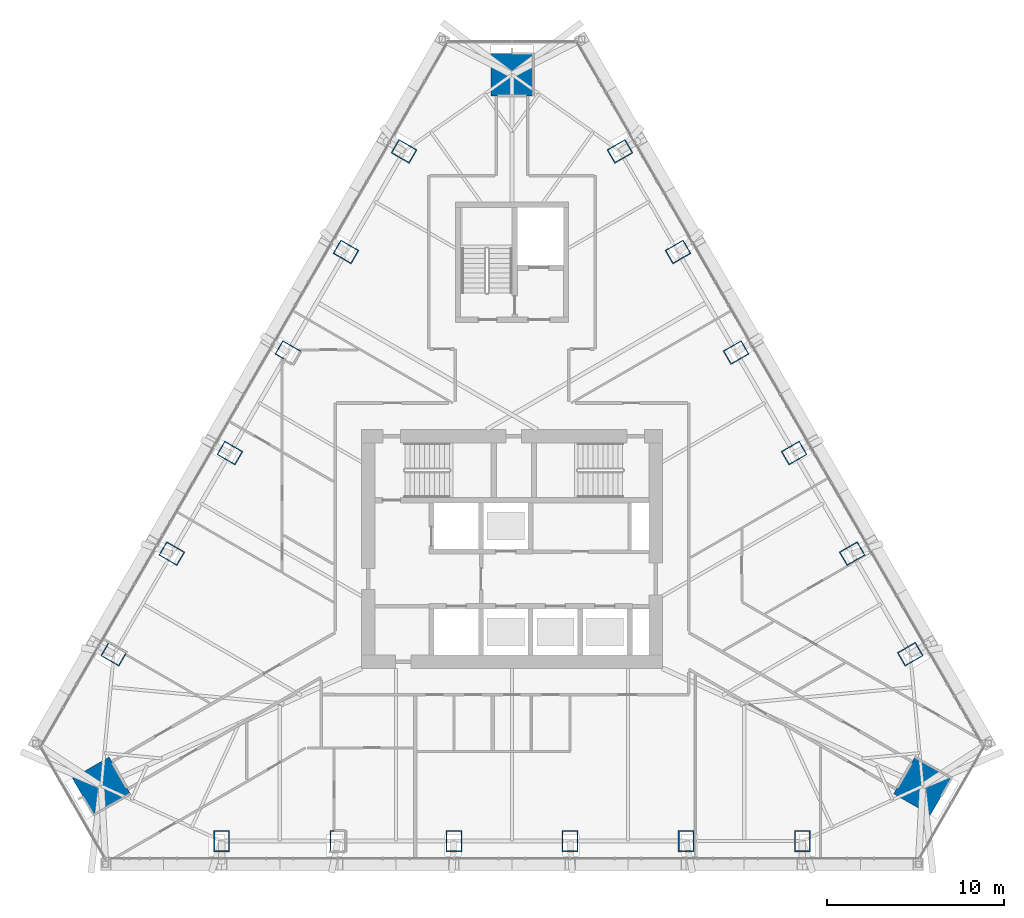
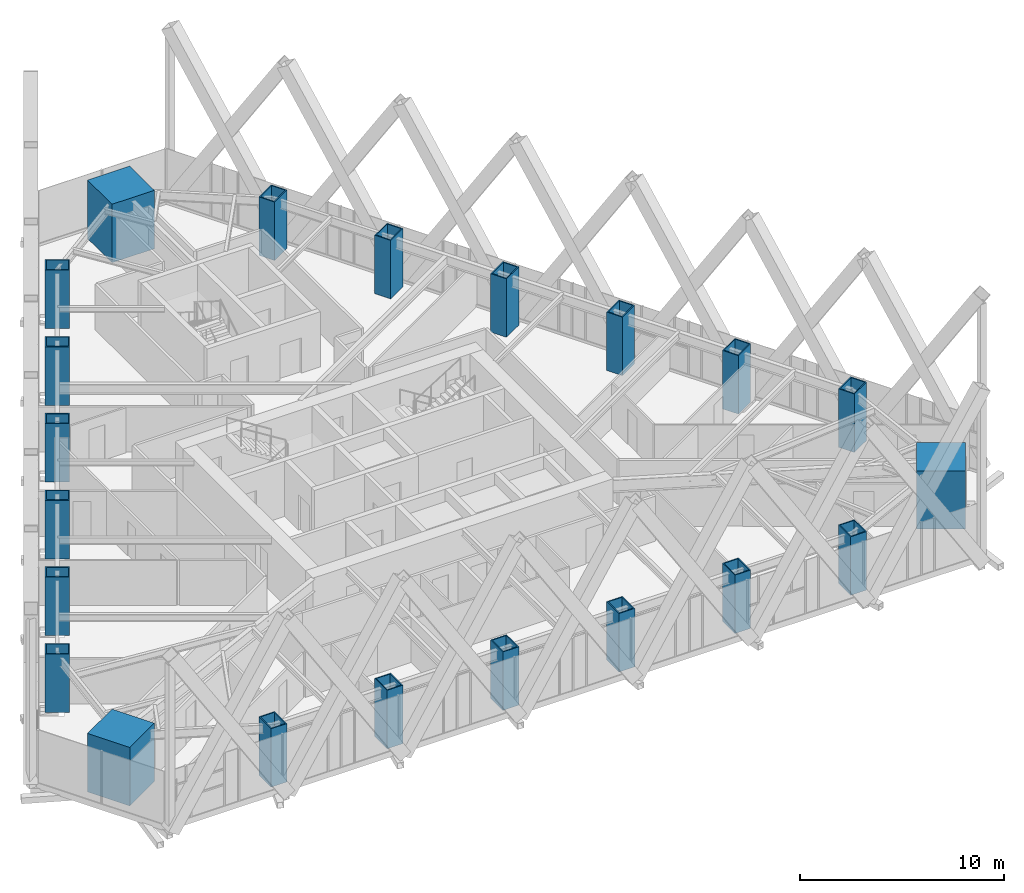
# One storey, part 1 of 25: 21 columns.
"""IFC4 building model written with IfcOpenShell, lengths in metres."""

from ifc_helpers import new_model, si_unit, direction, frame, origin, origin_2d, place, context, subcontext, project, spatial, rectangle, hollow_rectangle, extrude, material, material_profile, profile_set, type_object, element, save


model = new_model("IFC4")

# Units and contexts
model_context = context("Model", 3, precision=1e-05, world=origin(), true_north=direction((0.0, 1.0)))
body_context = subcontext(model_context, "Body", "Model", "MODEL_VIEW")
ifc_project = project(units=[si_unit("LENGTHUNIT", "METRE"), si_unit("AREAUNIT", "SQUARE_METRE"), si_unit("VOLUMEUNIT", "CUBIC_METRE"), si_unit("PLANEANGLEUNIT", "RADIAN"), si_unit("MASSUNIT", "GRAM", prefix="KILO")], contexts=[model_context])

# Site, building, storey
site_placement = place(None, origin())
site = spatial("IfcSite", under=ifc_project, at=site_placement, CompositionType="ELEMENT")
building_placement = place(site_placement, origin())
building = spatial("IfcBuilding", under=site, at=building_placement, Name="Firuza Gate Tower and Library", CompositionType="ELEMENT")
storey_placement = place(building_placement, frame((0.0, 0.0, 270.60009765625)))
storey = spatial("IfcBuildingStorey", under=building, at=storey_placement, Name="L64", CompositionType="ELEMENT", Elevation=270.60009765625)

# Columns
ifc_material_1 = material(Name="Steel S355", Category="steel")
ifc_material_profile_1 = material_profile(ifc_material_1, hollow_rectangle(XDim=0.89990234375, YDim=1.199951171875, WallThickness=0.06005859375, at=origin_2d()))
ifc_profile_set_1 = profile_set([ifc_material_profile_1], Name="Steel S355")
column_type_1 = type_object("IfcColumnType", Name="BU1200x900x60 Composite box column", PredefinedType="COLUMN", material=ifc_profile_set_1)
for number, where, z_axis, x_axis, name in (
    (1, (58.586669921875, 58.476318359375, -0.00048828125), (0.0, 0.0, 1.0), (1.0, 0.0, 0.0), "Column S1 L64"),
    (2, (65.152099609375, 58.476318359375, -0.00048828125), (0.0, 0.0, 1.0), (1.0, 0.0, 0.0), "Column S2 L64"),
    (3, (71.71728515625, 58.476318359375, -0.00048828125), (0.0, 0.0, 1.0), (1.0, 0.0, 0.0), "Column S3 L64"),
    (4, (78.28271484375, 58.476318359375, -0.00048828125), (0.0, 0.0, 1.0), (1.0, 0.0, 0.0), "Column S4 L64"),
    (5, (84.847900390625, 58.476318359375, -0.00048828125), (0.0, 0.0, 1.0), (1.0, 0.0, 0.0), "Column S5 L64"),
    (6, (91.413330078125, 58.476318359375, -0.00048828125), (0.0, 0.0, 1.0), (1.0, 0.0, 0.0), "Column S6 L64"),
    (7, (97.5166015625, 69.04736328125, -0.00048828125), (0.0, 0.0, 1.0), (-0.5, 0.866025403784, 0.0), "Column E1 L64"),
    (8, (94.23388671875, 74.733154296875, -0.00048828125), (0.0, 0.0, 1.0), (-0.5, 0.866025403784, 0.0), "Column E2 L64"),
    (9, (90.951171875, 80.4189453125, -0.00048828125), (0.0, 0.0, 1.0), (-0.5, 0.866025403784, 0.0), "Column E3 L64"),
    (10, (87.66845703125, 86.104736328125, -0.00048828125), (0.0, 0.0, 1.0), (-0.5, 0.866025403784, 0.0), "Column E4 L64"),
    (11, (84.385986328125, 91.79052734375, -0.00048828125), (0.0, 0.0, 1.0), (-0.5, 0.866025403784, 0.0), "Column E5 L64"),
    (12, (81.103271484375, 97.47607421875, -0.00048828125), (0.0, 0.0, 1.0), (-0.5, 0.866025403784, 0.0), "Column E6 L64"),
    (13, (68.896728515625, 97.47607421875, -0.00048828125), (0.0, 0.0, 1.0), (-0.5, -0.866025403784, 0.0), "Column W1 L64"),
    (14, (65.614013671875, 91.79052734375, -0.00048828125), (0.0, 0.0, 1.0), (-0.5, -0.866025403784, 0.0), "Column W2 L64"),
    (15, (62.33154296875, 86.104736328125, -0.00048828125), (0.0, 0.0, 1.0), (-0.5, -0.866025403784, 0.0), "Column W3 L64"),
    (16, (59.048828125, 80.4189453125, -0.00048828125), (0.0, 0.0, 1.0), (-0.5, -0.866025403784, 0.0), "Column W4 L64"),
    (17, (55.76611328125, 74.733154296875, -0.00048828125), (0.0, 0.0, 1.0), (-0.5, -0.866025403784, 0.0), "Column W5 L64"),
    (18, (52.4833984375, 69.04736328125, -0.00048828125), (0.0, 0.0, 1.0), (-0.5, -0.866025403784, 0.0), "Column W6 L64"),
):
    element("IfcColumn", number, at=place(storey_placement, frame(where, z_axis=z_axis, x_axis=x_axis)), inside=storey, type_object=column_type_1, Name=name, PredefinedType="COLUMN", context=body_context, shape_type="SweptSolid", body=[
        extrude(hollow_rectangle(XDim=0.89990234375, YDim=1.199951171875, WallThickness=0.06005859375, at=origin_2d()), origin(), (0.0, 0.0, 1.0), 3.50048828125),
    ])
ifc_material_2 = material(Name="Concrete C80/95", Category="concrete")
ifc_material_profile_2 = material_profile(ifc_material_2, rectangle(XDim=2.39990234375, YDim=2.39990234375, at=origin_2d()))
ifc_profile_set_2 = profile_set([ifc_material_profile_2], Name="Concrete C80/95")
column_type_2 = type_object("IfcColumnType", Name="Mega column 2400x2400 C80/95", PredefinedType="COLUMN", material=ifc_profile_set_2)
for number, where, z_axis, x_axis, name in (
    (19, (98.2197265625, 61.593994140625, 0.0), (0.0, 0.0, 1.0), (0.5, 0.866025403784, 0.0), "Mega column SE L64"),
    (20, (75.0, 101.81201171875, 0.0), (0.0, 0.0, 1.0), (-1.0, 0.0, 0.0), "Mega column N L64"),
    (21, (51.7802734375, 61.593994140625, 0.0), (0.0, 0.0, 1.0), (0.5, -0.866025403784, 0.0), "Mega column SW L64"),
):
    element("IfcColumn", number, at=place(storey_placement, frame(where, z_axis=z_axis, x_axis=x_axis)), inside=storey, type_object=column_type_2, Name=name, PredefinedType="COLUMN", context=body_context, shape_type="SweptSolid", body=[
        extrude(rectangle(XDim=2.39990234375, YDim=2.39990234375, at=origin_2d()), origin(), (0.0, 0.0, 1.0), 3.5),
    ])

save(model, "model.ifc")
